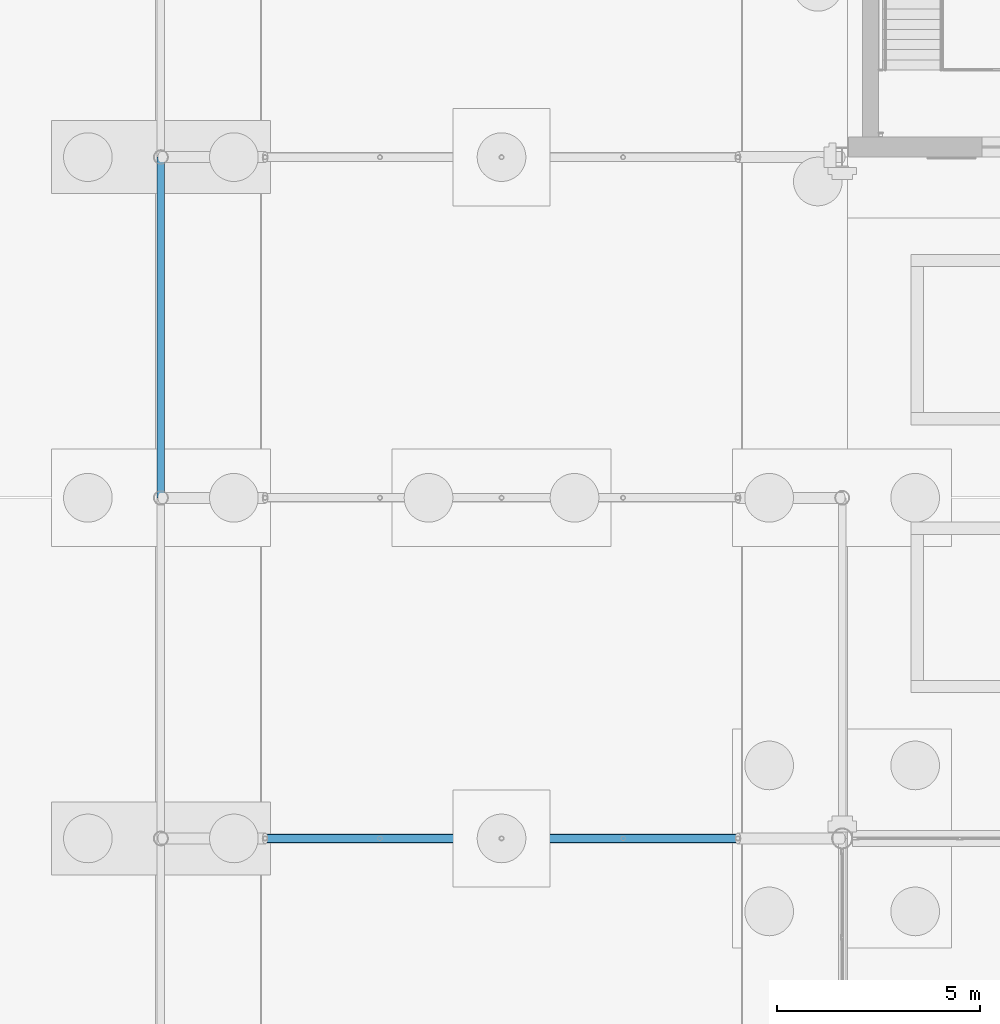
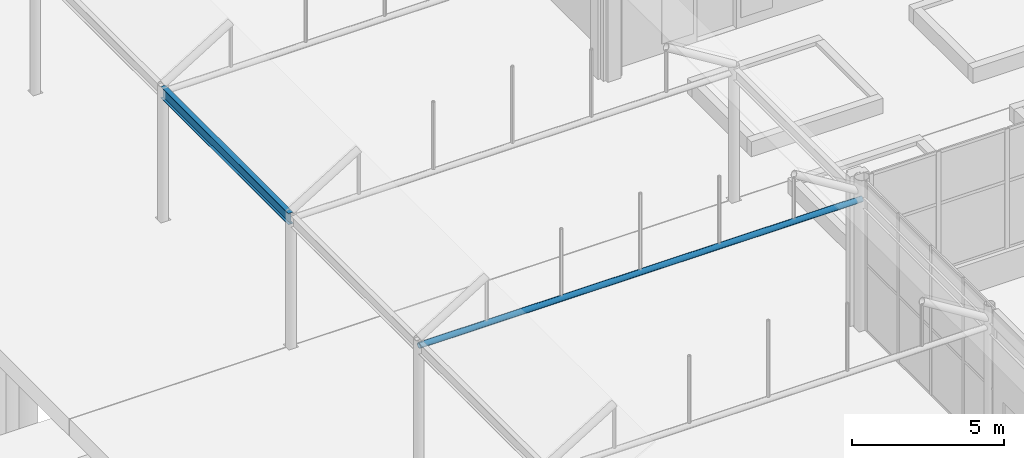
# One storey, part 135 of 212: 2 beams.
"""IFC4 building model written with IfcOpenShell, lengths in metres."""

from ifc_helpers import new_model, si_unit, direction, frame, origin, origin_2d, place, context, subcontext, project, spatial, hollow_circle, i_section, extrude, material, material_profile, profile_set, type_object, element, save


model = new_model("IFC4")

# Units and contexts
model_context = context("Model", 3, precision=1e-05, world=origin(), true_north=direction((0.0, 1.0)))
body_context = subcontext(model_context, "Body", "Model", "MODEL_VIEW")
ifc_project = project(units=[si_unit("LENGTHUNIT", "METRE"), si_unit("AREAUNIT", "SQUARE_METRE"), si_unit("VOLUMEUNIT", "CUBIC_METRE"), si_unit("PLANEANGLEUNIT", "RADIAN"), si_unit("MASSUNIT", "GRAM", prefix="KILO")], contexts=[model_context])

# Site, building, storey
site_placement = place(None, origin())
site = spatial("IfcSite", under=ifc_project, at=site_placement, CompositionType="ELEMENT")
building_placement = place(site_placement, origin())
building = spatial("IfcBuilding", under=site, at=building_placement, Name="Catenary Quay Ferry Terminal", CompositionType="ELEMENT")
storey_placement = place(building_placement, origin())
storey = spatial("IfcBuildingStorey", under=building, at=storey_placement, Name="L00", CompositionType="ELEMENT", Elevation=0.0)

# Beams
ifc_material_1 = material(Name="Steel S355", Category="steel")
ifc_material_profile_1 = material_profile(ifc_material_1, i_section(OverallWidth=0.18994140625, OverallDepth=0.453369140625, WebThickness=0.008544921875, FlangeThickness=0.0126953125, at=origin_2d()), Name="UB 457x191x67")
ifc_profile_set_1 = profile_set([ifc_material_profile_1], Name="Steel S355")
beam_type_1 = type_object("IfcBeamType", Name="B1 UB 457x191x67", PredefinedType="BEAM", material=ifc_profile_set_1)
beam_1_placement = place(storey_placement, frame((8.39990234375, 151.199951171875, 5.10009765625), z_axis=(0.0, 1.0, 0.0), x_axis=(-1.0, 0.0, 0.0)))
element("IfcBeam", 1, at=beam_1_placement, inside=storey, type_object=beam_type_1, Name="Eaves beam B-FB11", PredefinedType="BEAM", context=body_context, shape_type="SweptSolid", body=[
    extrude(i_section(OverallWidth=0.18994140625, OverallDepth=0.453369140625, WebThickness=0.008544921875, FlangeThickness=0.0126953125, at=origin_2d()), origin(), (0.0, 0.0, 1.0), 8.400146484375),
])
ifc_material_2 = material(Name="Steel S355", Category="steel")
ifc_material_profile_2 = material_profile(ifc_material_2, hollow_circle(Radius=0.109619140625, WallThickness=0.010009765625, at=origin_2d()), Name="CHS 219.1x10")
ifc_profile_set_2 = profile_set([ifc_material_profile_2], Name="Steel S355")
beam_type_2 = type_object("IfcBeamType", Name="TB2 CHS 219.1x10", PredefinedType="BEAM", material=ifc_profile_set_2)
beam_2_placement = place(storey_placement, frame((8.39990234375, 142.800048828125, 5.10009765625), z_axis=(1.0, 0.0, 0.0), x_axis=(0.0, 1.0, 0.0)))
element("IfcBeam", 2, at=beam_2_placement, inside=storey, type_object=beam_type_2, Name="tie beam FC-10", PredefinedType="BEAM", context=body_context, shape_type="SweptSolid", body=[
    extrude(hollow_circle(Radius=0.109619140625, WallThickness=0.010009765625, at=origin_2d()), origin(), (0.0, 0.0, 1.0), 16.800048828125),
])

save(model, "model.ifc")
